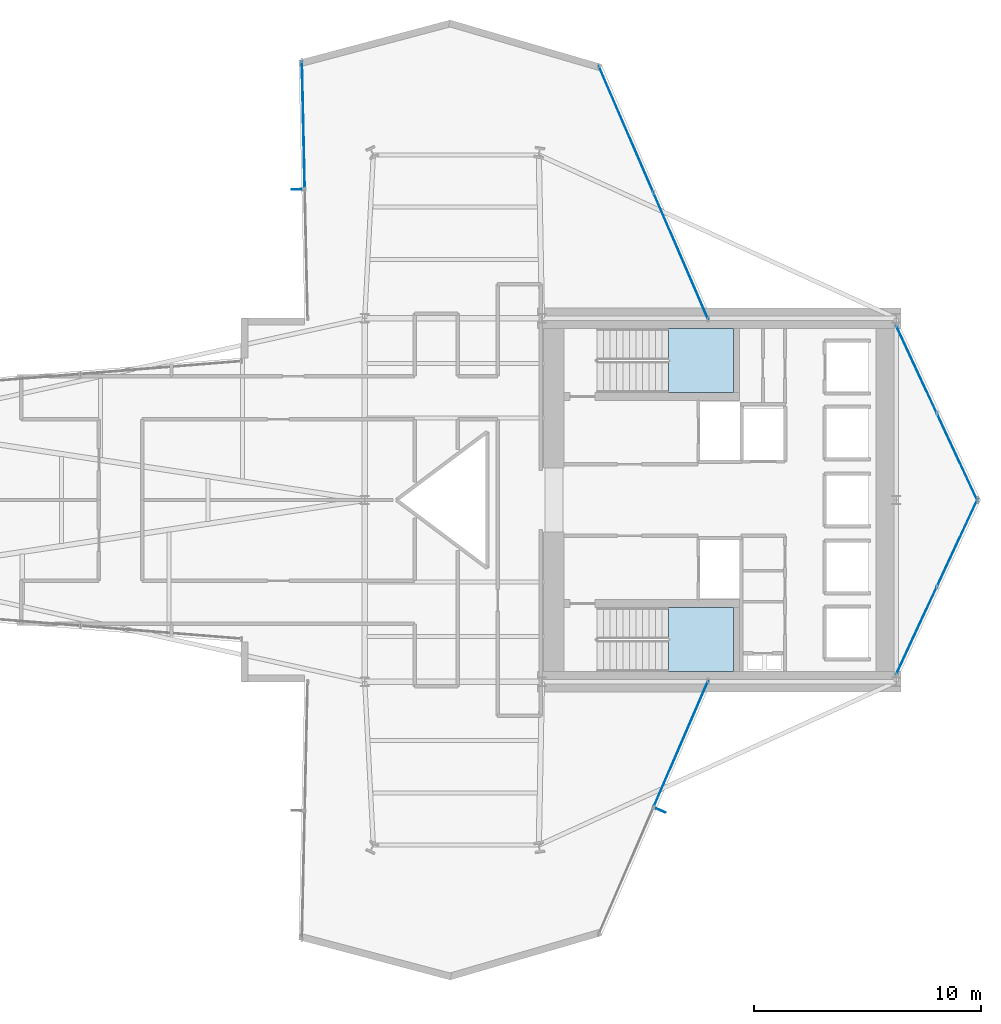
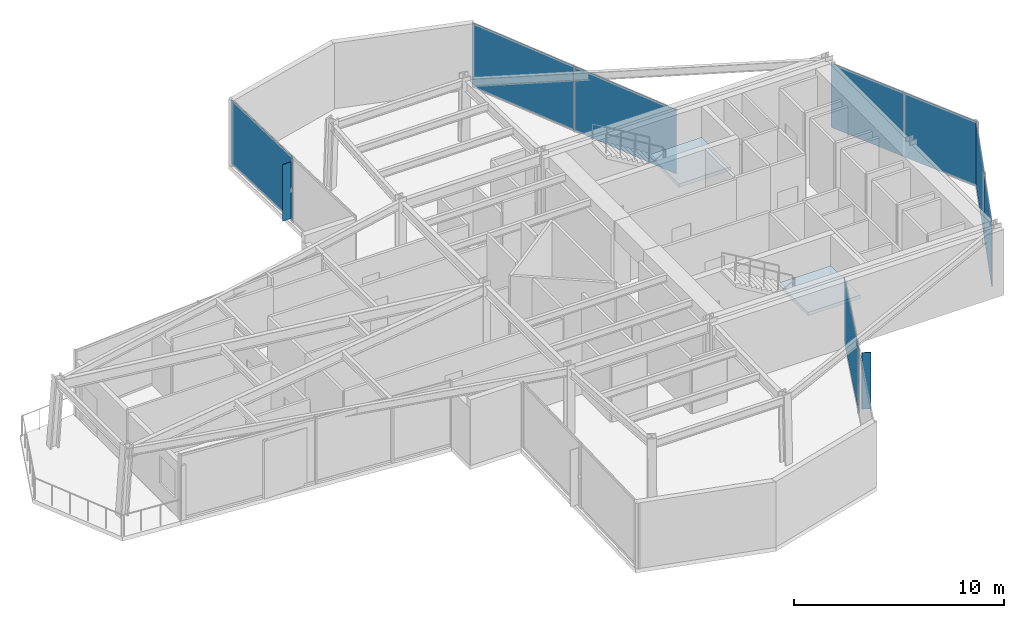
# One storey, part 21 of 26: 10 plates, 2 slabs, 7 elements without a shape of their own.
"""IFC4 building model written with IfcOpenShell, lengths in metres."""

from ifc_helpers import new_model, si_unit, direction, frame, origin, origin_2d, place, context, subcontext, project, spatial, polyline, rectangle, outline, extrude, material, layer, layer_set, type_object, element, aggregate, save


model = new_model("IFC4")

# Units and contexts
model_context = context("Model", 3, precision=1e-05, world=origin(), true_north=direction((0.0, 1.0)))
body_context = subcontext(model_context, "Body", "Model", "MODEL_VIEW")
ifc_project = project(units=[si_unit("LENGTHUNIT", "METRE"), si_unit("AREAUNIT", "SQUARE_METRE"), si_unit("VOLUMEUNIT", "CUBIC_METRE"), si_unit("PLANEANGLEUNIT", "RADIAN"), si_unit("MASSUNIT", "GRAM", prefix="KILO")], contexts=[model_context])

# Site, building, storey
site_placement = place(None, origin())
site = spatial("IfcSite", under=ifc_project, at=site_placement, CompositionType="ELEMENT")
building_placement = place(site_placement, origin())
building = spatial("IfcBuilding", under=site, at=building_placement, Name="Veymaron Broadcast Tower", CompositionType="ELEMENT")
storey_placement = place(building_placement, frame((0.0, 0.0, 90.449951171875)))
storey = spatial("IfcBuildingStorey", under=building, at=storey_placement, Name="L20", CompositionType="ELEMENT", Elevation=90.449951171875)

# Curtain wall, plate
ifc_material_1 = material(Name="Anodised aluminium AA 6063-T6 and laminated low-E dark glass", Category="aluminium")
ifc_layer_1 = layer(ifc_material_1, 0.179931640625)
ifc_layer_set_1 = layer_set([ifc_layer_1], Name="Anodised aluminium AA 6063-T6 and laminated low-E dark glass")
curtain_wall_type = type_object("IfcCurtainWallType", Name="CW-SYS-02", PredefinedType="NOTDEFINED", material=ifc_layer_set_1)
curtain_wall_1_placement = place(storey_placement, origin())
curtain_wall_1 = element("IfcCurtainWall", 1, at=curtain_wall_1_placement, inside=storey, type_object=curtain_wall_type, Name="L20 dark-glass curtain wall CW-L20-E1-1", PredefinedType="NOTDEFINED")
ifc_material_2 = material(Name="Double-silver solar-control dark glass IGU 32 mm", Category="glass")
ifc_layer_2 = layer(ifc_material_2, 0.031982421875)
ifc_layer_set_2 = layer_set([ifc_layer_2], Name="Double-silver solar-control dark glass IGU 32 mm")
plate_type_1 = type_object("IfcPlateType", Name="CW-PNL-02", PredefinedType="CURTAIN_PANEL", material=ifc_layer_set_2)
plate_1_placement = place(storey_placement, frame((45.11865234375, 13.261962890625, 0.0400390625), z_axis=(0.0, 0.0, 1.0), x_axis=(0.396667301018, 0.91796244602, 0.0)))
plate_1 = element("IfcPlate", 2, at=plate_1_placement, type_object=plate_type_1, Name="CW-L20-E1-1 unitised curtain panel 1", PredefinedType="CURTAIN_PANEL", context=body_context, shape_type="SweptSolid", body=[
    extrude(rectangle(XDim=6.0263671875, YDim=0.031982421875, at=origin_2d()), origin(), (0.0, 0.0, 1.0), 3.72998046875),
])
aggregate(curtain_wall_1, [plate_1])

# Curtain wall, plates
curtain_wall_2_placement = place(storey_placement, origin())
curtain_wall_2 = element("IfcCurtainWall", 3, at=curtain_wall_2_placement, inside=storey, type_object=curtain_wall_type, Name="L20 dark-glass curtain wall CW-L20-E3-1", PredefinedType="NOTDEFINED")
plate_2_placement = place(storey_placement, frame((55.49169921875, 18.251708984375, 0.0400390625), z_axis=(0.0, 0.0, 1.0), x_axis=(0.421368234075, 0.906889635685, 0.0)))
plate_2 = element("IfcPlate", 4, at=plate_2_placement, type_object=plate_type_1, Name="CW-L20-E3-1 unitised curtain panel 0", PredefinedType="CURTAIN_PANEL", context=body_context, shape_type="SweptSolid", body=[
    extrude(rectangle(XDim=4.208984375, YDim=0.031982421875, at=origin_2d()), origin(), (0.0, 0.0, 1.0), 3.72998046875),
])
plate_3_placement = place(storey_placement, frame((57.29052734375, 22.123291015625, 0.0400390625), z_axis=(0.0, 0.0, 1.0), x_axis=(0.421368234075, 0.906889635685, 0.0)))
plate_3 = element("IfcPlate", 5, at=plate_3_placement, type_object=plate_type_1, Name="CW-L20-E3-1 unitised curtain panel 1", PredefinedType="CURTAIN_PANEL", context=body_context, shape_type="SweptSolid", body=[
    extrude(rectangle(XDim=4.208984375, YDim=0.031982421875, at=origin_2d()), origin(), (0.0, 0.0, 1.0), 3.72998046875),
])
aggregate(curtain_wall_2, [plate_2, plate_3])

curtain_wall_3_placement = place(storey_placement, origin())
curtain_wall_3 = element("IfcCurtainWall", 6, at=curtain_wall_3_placement, inside=storey, type_object=curtain_wall_type, Name="L20 dark-glass curtain wall CW-L20-E4-1", PredefinedType="NOTDEFINED")
plate_4_placement = place(storey_placement, frame((57.29052734375, 25.876708984375, 0.0400390625), z_axis=(0.0, 0.0, 1.0), x_axis=(-0.421368234075, 0.906889635685, 0.0)))
plate_4 = element("IfcPlate", 7, at=plate_4_placement, type_object=plate_type_1, Name="CW-L20-E4-1 unitised curtain panel 0", PredefinedType="CURTAIN_PANEL", context=body_context, shape_type="SweptSolid", body=[
    extrude(rectangle(XDim=4.208984375, YDim=0.031982421875, at=origin_2d()), origin(), (0.0, 0.0, 1.0), 3.72998046875),
])
plate_5_placement = place(storey_placement, frame((55.49169921875, 29.748291015625, 0.0400390625), z_axis=(0.0, 0.0, 1.0), x_axis=(-0.421368234075, 0.906889635685, 0.0)))
plate_5 = element("IfcPlate", 8, at=plate_5_placement, type_object=plate_type_1, Name="CW-L20-E4-1 unitised curtain panel 1", PredefinedType="CURTAIN_PANEL", context=body_context, shape_type="SweptSolid", body=[
    extrude(rectangle(XDim=4.208984375, YDim=0.031982421875, at=origin_2d()), origin(), (0.0, 0.0, 1.0), 3.72998046875),
])
aggregate(curtain_wall_3, [plate_4, plate_5])

curtain_wall_4_placement = place(storey_placement, origin())
curtain_wall_4 = element("IfcCurtainWall", 9, at=curtain_wall_4_placement, inside=storey, type_object=curtain_wall_type, Name="L20 dark-glass curtain wall CW-L20-E6-1", PredefinedType="NOTDEFINED")
plate_6_placement = place(storey_placement, frame((45.11865234375, 34.738037109375, 0.0400390625), z_axis=(0.0, 0.0, 1.0), x_axis=(-0.396667301018, 0.91796244602, 0.0)))
plate_6 = element("IfcPlate", 10, at=plate_6_placement, type_object=plate_type_1, Name="CW-L20-E6-1 unitised curtain panel 0", PredefinedType="CURTAIN_PANEL", context=body_context, shape_type="SweptSolid", body=[
    extrude(rectangle(XDim=6.0263671875, YDim=0.031982421875, at=origin_2d()), origin(), (0.0, 0.0, 1.0), 3.72998046875),
])
plate_7_placement = place(storey_placement, frame((42.704345703125, 40.324951171875, 0.0400390625), z_axis=(0.0, 0.0, 1.0), x_axis=(-0.396667301018, 0.91796244602, 0.0)))
plate_7 = element("IfcPlate", 11, at=plate_7_placement, type_object=plate_type_1, Name="CW-L20-E6-1 unitised curtain panel 1", PredefinedType="CURTAIN_PANEL", context=body_context, shape_type="SweptSolid", body=[
    extrude(rectangle(XDim=6.0263671875, YDim=0.031982421875, at=origin_2d()), origin(), (0.0, 0.0, 1.0), 3.72998046875),
])
aggregate(curtain_wall_4, [plate_6, plate_7])

# Curtain wall, plate
curtain_wall_5_placement = place(storey_placement, origin())
curtain_wall_5 = element("IfcCurtainWall", 12, at=curtain_wall_5_placement, inside=storey, type_object=curtain_wall_type, Name="L20 dark-glass curtain wall CW-L20-E9-1", PredefinedType="NOTDEFINED")
plate_8_placement = place(storey_placement, frame((28.499755859375, 40.516357421875, 0.0400390625), z_axis=(0.0, 0.0, 1.0), x_axis=(0.022355805128, -0.999750077758, 0.0)))
plate_8 = element("IfcPlate", 13, at=plate_8_placement, type_object=plate_type_1, Name="CW-L20-E9-1 unitised curtain panel 0", PredefinedType="CURTAIN_PANEL", context=body_context, shape_type="SweptSolid", body=[
    extrude(rectangle(XDim=5.616943359375, YDim=0.031982421875, at=origin_2d()), origin(), (0.0, 0.0, 1.0), 3.72998046875),
])
aggregate(curtain_wall_5, [plate_8])

# Plates
ifc_material_3 = material(Name="Dark-anodised aluminium AA 6061-T6", Category="aluminium")
ifc_layer_3 = layer(ifc_material_3, 0.034912109375)
ifc_layer_set_3 = layer_set([ifc_layer_3], Name="Dark-anodised aluminium AA 6061-T6")
plate_type_2 = type_object("IfcPlateType", Name="FIN-CHEV-01", PredefinedType="USERDEFINED", material=ifc_layer_set_3)
for number, where, z_axis, x_axis, name in (
    (14, (44.237548828125, 10.32763671875, 0.2666015625), (0.0, 0.0, 1.0), (0.91796244602, -0.396667301018, 0.0), "CW-L20-E1-1 chevron fin 1"),
    (15, (28.208251953125, 37.670654296875, 0.2666015625), (0.0, 0.0, 1.0), (-0.999750077758, -0.022355805128, 0.0), "CW-L20-E9-1 chevron fin 1"),
):
    element("IfcPlate", number, at=place(storey_placement, frame(where, z_axis=z_axis, x_axis=x_axis)), inside=storey, type_object=plate_type_2, Name=name, ObjectType="FIN", PredefinedType="USERDEFINED", context=body_context, shape_type="SweptSolid", body=[
        extrude(rectangle(XDim=0.449951171875, YDim=0.034912109375, at=origin_2d()), origin(), (0.0, 0.0, 1.0), 3.276611328125),
    ])

# Stair, slab
ifc_material_4 = material(Name="Concrete C50/60", Category="concrete")
stair_type_1 = type_object("IfcStairType", Name="STAIR-CORE-1", PredefinedType="HALF_TURN_STAIR", material=ifc_material_4)
stair_1_placement = place(storey_placement, origin())
stair_1 = element("IfcStair", 16, at=stair_1_placement, inside=storey, type_object=stair_type_1, Name="L20 North protected dog-leg exit stair ST1", PredefinedType="HALF_TURN_STAIR")
ifc_layer_4 = layer(ifc_material_4, 0.199951171875)
ifc_layer_set_4 = layer_set([ifc_layer_4], Name="Concrete C50/60")
slab_type = type_object("IfcSlabType", Name="SLAB-STAIR-LDG", PredefinedType="LANDING", material=ifc_layer_set_4)
slab_1_placement = place(storey_placement, frame((0.0, 0.0, 1.824951171875)))
slab_1 = element("IfcSlab", 17, at=slab_1_placement, type_object=slab_type, Name="ST1 landing 1", PredefinedType="LANDING", context=body_context, shape_type="SweptSolid", body=[
    extrude(outline(polyline([(44.56494140625, 28.72998046875), (47.43994140625, 28.72998046875), (47.43994140625, 31.550048828125), (44.56494140625, 31.550048828125), (44.56494140625, 28.72998046875)])), origin(), (0.0, 0.0, 1.0), 0.2001953125),
])
aggregate(stair_1, [slab_1])

stair_type_2 = type_object("IfcStairType", Name="STAIR-CORE-2", PredefinedType="HALF_TURN_STAIR", material=ifc_material_4)
stair_2_placement = place(storey_placement, origin())
stair_2 = element("IfcStair", 18, at=stair_2_placement, inside=storey, type_object=stair_type_2, Name="L20 South protected dog-leg exit stair ST2", PredefinedType="HALF_TURN_STAIR")
slab_2_placement = place(storey_placement, frame((0.0, 0.0, 1.824951171875)))
slab_2 = element("IfcSlab", 19, at=slab_2_placement, type_object=slab_type, Name="ST2 landing 1", PredefinedType="LANDING", context=body_context, shape_type="SweptSolid", body=[
    extrude(outline(polyline([(44.56494140625, 16.449951171875), (47.43994140625, 16.449951171875), (47.43994140625, 19.27001953125), (44.56494140625, 19.27001953125), (44.56494140625, 16.449951171875)])), origin(), (0.0, 0.0, 1.0), 0.2001953125),
])
aggregate(stair_2, [slab_2])

save(model, "model.ifc")
